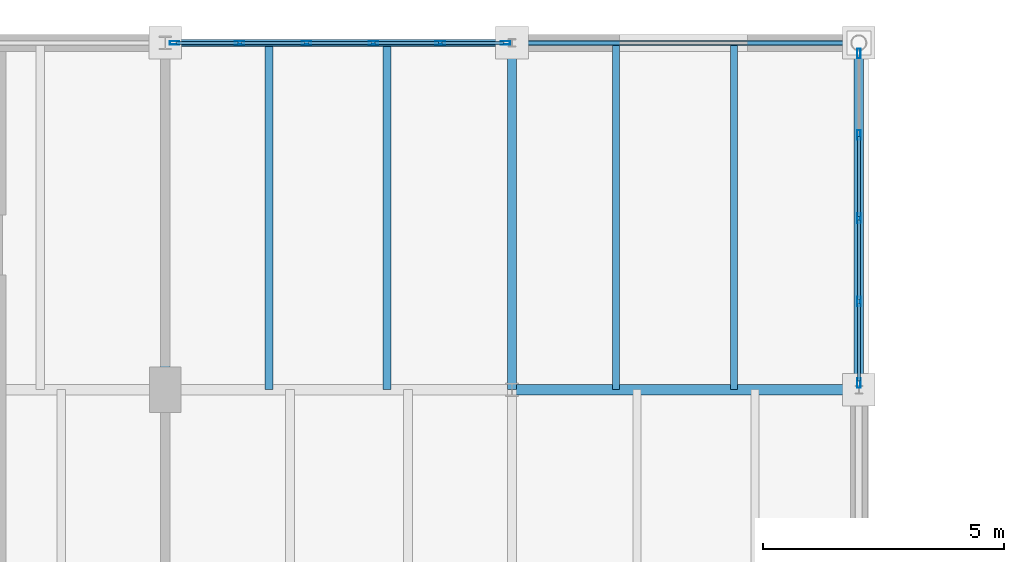
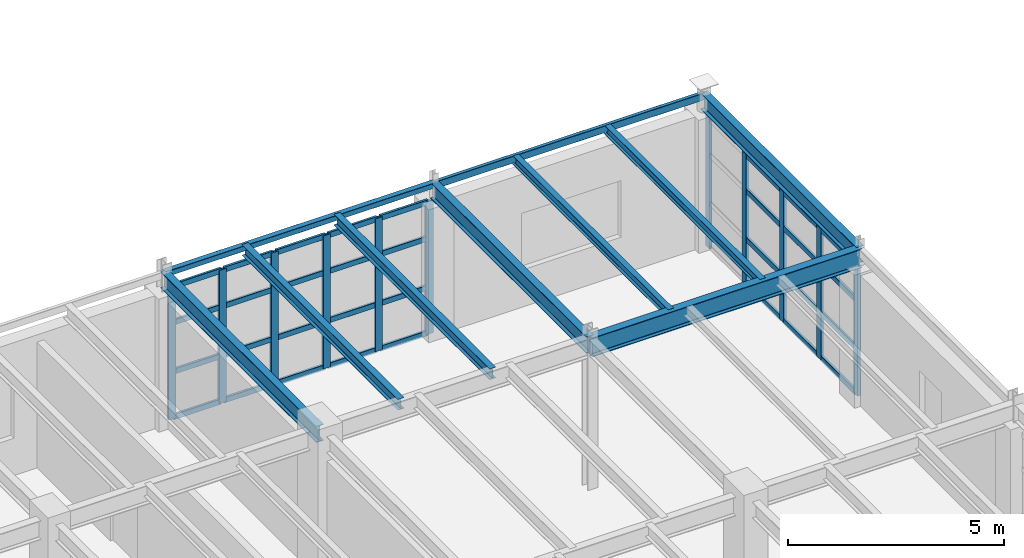
# One storey, part 106 of 137: 43 members, 10 beams, 2 elements without a shape of their own.
"""IFC4 building model written with IfcOpenShell, lengths in metres."""

from ifc_helpers import new_model, si_unit, direction, frame, origin, origin_2d, place, context, subcontext, project, spatial, hollow_rectangle, i_section, extrude, material, layer, layer_set, material_profile, profile_set, type_object, element, aggregate, save


model = new_model("IFC4")

# Units and contexts
model_context = context("Model", 3, precision=1e-05, world=origin(), true_north=direction((0.0, 1.0)))
body_context = subcontext(model_context, "Body", "Model", "MODEL_VIEW")
ifc_project = project(units=[si_unit("LENGTHUNIT", "METRE"), si_unit("AREAUNIT", "SQUARE_METRE"), si_unit("VOLUMEUNIT", "CUBIC_METRE"), si_unit("PLANEANGLEUNIT", "RADIAN"), si_unit("MASSUNIT", "GRAM", prefix="KILO")], contexts=[model_context])

# Site, building, storey
site_placement = place(None, origin())
site = spatial("IfcSite", under=ifc_project, at=site_placement, CompositionType="ELEMENT")
building_placement = place(site_placement, origin())
building = spatial("IfcBuilding", under=site, at=building_placement, Name="Kemerveld Promenade Tramway Depot", CompositionType="ELEMENT")
storey_placement = place(building_placement, frame((0.0, 0.0, 5.39990234375)))
storey = spatial("IfcBuildingStorey", under=building, at=storey_placement, Name="L01", CompositionType="ELEMENT", Elevation=5.39990234375)

# Beams
ifc_material_1 = material(Name="Steel S355", Category="steel")
ifc_material_profile_1 = material_profile(ifc_material_1, i_section(OverallWidth=0.2099609375, OverallDepth=0.53662109375, WebThickness=0.0107421875, FlangeThickness=0.017333984375, FilletRadius=0.0126953125, at=origin_2d()), Name="533x210x101 UB")
ifc_profile_set_1 = profile_set([ifc_material_profile_1], Name="Steel S355")
beam_type_1 = type_object("IfcBeamType", Name="BM-G05", PredefinedType="BEAM", material=ifc_profile_set_1)
beam_1_placement = place(storey_placement, frame((151.199951171875, 72.0, 3.9716796875), z_axis=(1.0, 0.0, 0.0), x_axis=(0.0, 1.0, 0.0)))
element("IfcBeam", 1, at=beam_1_placement, inside=storey, type_object=beam_type_1, Name="BMX-L01-22-23-L", PredefinedType="BEAM", context=body_context, shape_type="SweptSolid", body=[
    extrude(i_section(OverallWidth=0.2099609375, OverallDepth=0.53662109375, WebThickness=0.0107421875, FlangeThickness=0.017333984375, FilletRadius=0.0126953125, at=origin_2d()), origin(), (0.0, 0.0, 1.0), 7.199951171875),
])
ifc_material_profile_2 = material_profile(ifc_material_1, i_section(OverallWidth=0.19140625, OverallDepth=0.4599609375, WebThickness=0.010009765625, FlangeThickness=0.01611328125, FilletRadius=0.01025390625, at=origin_2d()), Name="457x191x82 UB")
ifc_profile_set_2 = profile_set([ifc_material_profile_2], Name="Steel S355")
beam_type_2 = type_object("IfcBeamType", Name="BM-G06", PredefinedType="BEAM", material=ifc_profile_set_2)
for number, where, z_axis, x_axis, name in (
    (2, (144.0, 72.0, 4.010009765625), (0.0, 1.0, 0.0), (-1.0, 0.0, 0.0), "BMY-L01-21-L-M"),
    (3, (151.199951171875, 72.0, 4.010009765625), (0.0, 1.0, 0.0), (-1.0, 0.0, 0.0), "BMY-L01-22-L-M"),
    (4, (158.39990234375, 72.0, 4.010009765625), (0.0, 1.0, 0.0), (-1.0, 0.0, 0.0), "BMY-L01-23-L-M"),
):
    element("IfcBeam", number, at=place(storey_placement, frame(where, z_axis=z_axis, x_axis=x_axis)), inside=storey, type_object=beam_type_2, Name=name, PredefinedType="BEAM", context=body_context, shape_type="SweptSolid", body=[
        extrude(i_section(OverallWidth=0.19140625, OverallDepth=0.4599609375, WebThickness=0.010009765625, FlangeThickness=0.01611328125, FilletRadius=0.01025390625, at=origin_2d()), origin(), (0.0, 0.0, 1.0), 7.199951171875),
    ])
ifc_material_profile_3 = material_profile(ifc_material_1, i_section(OverallWidth=0.165771484375, OverallDepth=0.306640625, WebThickness=0.006591796875, FlangeThickness=0.01171875, FilletRadius=0.0087890625, at=origin_2d()), Name="305x165x46 UB")
ifc_profile_set_3 = profile_set([ifc_material_profile_3], Name="Steel S355")
beam_type_3 = type_object("IfcBeamType", Name="BM-J01", PredefinedType="JOIST", material=ifc_profile_set_3)
for number, where, z_axis, x_axis, name in (
    (5, (146.159912109375, 72.0, 4.0869140625), (0.0, 1.0, 0.0), (-1.0, 0.0, 0.0), "JST-L01-21-L-1"),
    (6, (148.60791015625, 72.0, 4.0869140625), (0.0, 1.0, 0.0), (-1.0, 0.0, 0.0), "JST-L01-21-L-2"),
):
    element("IfcBeam", number, at=place(storey_placement, frame(where, z_axis=z_axis, x_axis=x_axis)), inside=storey, type_object=beam_type_3, Name=name, PredefinedType="JOIST", context=body_context, shape_type="SweptSolid", body=[
        extrude(i_section(OverallWidth=0.165771484375, OverallDepth=0.306640625, WebThickness=0.006591796875, FlangeThickness=0.01171875, FilletRadius=0.0087890625, at=origin_2d()), origin(), (0.0, 0.0, 1.0), 7.199951171875),
    ])
ifc_material_profile_4 = material_profile(ifc_material_1, i_section(OverallWidth=0.146484375, OverallDepth=0.256103515625, WebThickness=0.00634765625, FlangeThickness=0.010986328125, FilletRadius=0.007568359375, at=origin_2d()), Name="254x146x37 UB")
ifc_profile_set_4 = profile_set([ifc_material_profile_4], Name="Steel S355")
beam_type_4 = type_object("IfcBeamType", Name="BM-J02", PredefinedType="JOIST", material=ifc_profile_set_4)
for number, where, z_axis, x_axis, name in (
    (7, (153.360107421875, 72.0, 4.112060546875), (0.0, 1.0, 0.0), (-1.0, 0.0, 0.0), "JST-L01-22-L-1"),
    (8, (155.80810546875, 72.0, 4.112060546875), (0.0, 1.0, 0.0), (-1.0, 0.0, 0.0), "JST-L01-22-L-2"),
):
    element("IfcBeam", number, at=place(storey_placement, frame(where, z_axis=z_axis, x_axis=x_axis)), inside=storey, type_object=beam_type_4, Name=name, PredefinedType="JOIST", context=body_context, shape_type="SweptSolid", body=[
        extrude(i_section(OverallWidth=0.146484375, OverallDepth=0.256103515625, WebThickness=0.00634765625, FlangeThickness=0.010986328125, FilletRadius=0.007568359375, at=origin_2d()), origin(), (0.0, 0.0, 1.0), 7.199951171875),
    ])
ifc_material_profile_5 = material_profile(ifc_material_1, hollow_rectangle(XDim=0.10009765625, YDim=0.199951171875, WallThickness=0.008056640625, InnerFilletRadius=0.00390625, OuterFilletRadius=0.011962890625, at=origin_2d()), Name="200x100x8.0 RHS")
ifc_profile_set_5 = profile_set([ifc_material_profile_5], Name="Steel S355")
beam_type_5 = type_object("IfcBeamType", Name="BM-LN1", PredefinedType="LINTEL", material=ifc_profile_set_5)
beam_2_placement = place(storey_placement, frame((151.199951171875, 79.199951171875, 4.14013671875), z_axis=(1.0, 0.0, 0.0), x_axis=(0.0, 1.0, 0.0)))
element("IfcBeam", 9, at=beam_2_placement, inside=storey, type_object=beam_type_5, Name="BMX-L01-22-23-M", PredefinedType="LINTEL", context=body_context, shape_type="SweptSolid", body=[
    extrude(hollow_rectangle(XDim=0.10009765625, YDim=0.199951171875, WallThickness=0.008056640625, InnerFilletRadius=0.00390625, OuterFilletRadius=0.011962890625, at=origin_2d()), origin(), (0.0, 0.0, 1.0), 7.199951171875),
])
ifc_material_profile_6 = material_profile(ifc_material_1, hollow_rectangle(XDim=0.14990234375, YDim=0.14990234375, WallThickness=0.008056640625, InnerFilletRadius=0.00390625, OuterFilletRadius=0.011962890625, at=origin_2d()), Name="150x150x8.0 SHS")
ifc_profile_set_6 = profile_set([ifc_material_profile_6], Name="Steel S355")
beam_type_6 = type_object("IfcBeamType", Name="BM-SP4", PredefinedType="SPANDREL", material=ifc_profile_set_6)
beam_3_placement = place(storey_placement, frame((144.0, 79.199951171875, 4.1650390625), z_axis=(1.0, 0.0, 0.0), x_axis=(0.0, 1.0, 0.0)))
element("IfcBeam", 10, at=beam_3_placement, inside=storey, type_object=beam_type_6, Name="BMX-L01-21-22-M", PredefinedType="SPANDREL", context=body_context, shape_type="SweptSolid", body=[
    extrude(hollow_rectangle(XDim=0.14990234375, YDim=0.14990234375, WallThickness=0.008056640625, InnerFilletRadius=0.00390625, OuterFilletRadius=0.011962890625, at=origin_2d()), origin(), (0.0, 0.0, 1.0), 7.199951171875),
])

# Curtain wall, members
ifc_material_2 = material(Name="Bronze anodised aluminium and solar glass", Category="aluminium")
ifc_layer_1 = layer(ifc_material_2, 0.199951171875)
ifc_layer_set_1 = layer_set([ifc_layer_1], Name="CW-SYS-08")
curtain_wall_type_1 = type_object("IfcCurtainWallType", Name="CW-SYS-08", PredefinedType="USERDEFINED", material=ifc_layer_set_1)
curtain_wall_1_placement = place(storey_placement, origin())
curtain_wall_1 = element("IfcCurtainWall", 11, at=curtain_wall_1_placement, inside=storey, type_object=curtain_wall_type_1, Name="CW-L01-V3N-05", ObjectType="GLAZED_CURTAIN_WALL", PredefinedType="USERDEFINED")
ifc_material_3 = material(Name="Bronze anodised aluminium", Category="aluminium")
ifc_material_profile_7 = material_profile(ifc_material_3, hollow_rectangle(XDim=0.074951171875, YDim=0.199951171875, WallThickness=0.0048828125, InnerFilletRadius=0.001953125, OuterFilletRadius=0.0048828125, at=origin_2d()), Name="CW-MUL-200x75")
ifc_profile_set_7 = profile_set([ifc_material_profile_7], Name="Bronze anodised aluminium")
member_type_1 = type_object("IfcMemberType", Name="CW-MUL-B", PredefinedType="MULLION", material=ifc_profile_set_7)
member_1_placement = place(storey_placement, frame((144.19580078125, 79.199951171875, 0.0), z_axis=(0.0, 0.0, 1.0), x_axis=(0.0, 1.0, 0.0)))
member_1 = element("IfcMember", 12, at=member_1_placement, type_object=member_type_1, Name="CW08 mullion 1", PredefinedType="MULLION", context=body_context, shape_type="SweptSolid", body=[
    extrude(hollow_rectangle(XDim=0.074951171875, YDim=0.199951171875, WallThickness=0.0048828125, InnerFilletRadius=0.001953125, OuterFilletRadius=0.0048828125, at=origin_2d()), origin(), (0.0, 0.0, 1.0), 3.75),
])
member_2_placement = place(storey_placement, frame((145.54638671875, 79.199951171875, 0.0), z_axis=(0.0, 0.0, 1.0), x_axis=(0.0, 1.0, 0.0)))
member_2 = element("IfcMember", 13, at=member_2_placement, type_object=member_type_1, Name="CW08 mullion 2", PredefinedType="MULLION", context=body_context, shape_type="SweptSolid", body=[
    extrude(hollow_rectangle(XDim=0.074951171875, YDim=0.199951171875, WallThickness=0.0048828125, InnerFilletRadius=0.001953125, OuterFilletRadius=0.0048828125, at=origin_2d()), origin(), (0.0, 0.0, 1.0), 3.75),
])
member_3_placement = place(storey_placement, frame((146.9345703125, 79.199951171875, 0.0), z_axis=(0.0, 0.0, 1.0), x_axis=(0.0, 1.0, 0.0)))
member_3 = element("IfcMember", 14, at=member_3_placement, type_object=member_type_1, Name="CW08 mullion 3", PredefinedType="MULLION", context=body_context, shape_type="SweptSolid", body=[
    extrude(hollow_rectangle(XDim=0.074951171875, YDim=0.199951171875, WallThickness=0.0048828125, InnerFilletRadius=0.001953125, OuterFilletRadius=0.0048828125, at=origin_2d()), origin(), (0.0, 0.0, 1.0), 3.75),
])
member_4_placement = place(storey_placement, frame((148.32275390625, 79.199951171875, 0.0), z_axis=(0.0, 0.0, 1.0), x_axis=(0.0, 1.0, 0.0)))
member_4 = element("IfcMember", 15, at=member_4_placement, type_object=member_type_1, Name="CW08 mullion 4", PredefinedType="MULLION", context=body_context, shape_type="SweptSolid", body=[
    extrude(hollow_rectangle(XDim=0.074951171875, YDim=0.199951171875, WallThickness=0.0048828125, InnerFilletRadius=0.001953125, OuterFilletRadius=0.0048828125, at=origin_2d()), origin(), (0.0, 0.0, 1.0), 3.75),
])
member_5_placement = place(storey_placement, frame((149.7109375, 79.199951171875, 0.0), z_axis=(0.0, 0.0, 1.0), x_axis=(0.0, 1.0, 0.0)))
member_5 = element("IfcMember", 16, at=member_5_placement, type_object=member_type_1, Name="CW08 mullion 5", PredefinedType="MULLION", context=body_context, shape_type="SweptSolid", body=[
    extrude(hollow_rectangle(XDim=0.074951171875, YDim=0.199951171875, WallThickness=0.0048828125, InnerFilletRadius=0.001953125, OuterFilletRadius=0.0048828125, at=origin_2d()), origin(), (0.0, 0.0, 1.0), 3.75),
])
member_6_placement = place(storey_placement, frame((151.0615234375, 79.199951171875, 0.0), z_axis=(0.0, 0.0, 1.0), x_axis=(0.0, 1.0, 0.0)))
member_6 = element("IfcMember", 17, at=member_6_placement, type_object=member_type_1, Name="CW08 mullion 6", PredefinedType="MULLION", context=body_context, shape_type="SweptSolid", body=[
    extrude(hollow_rectangle(XDim=0.074951171875, YDim=0.199951171875, WallThickness=0.0048828125, InnerFilletRadius=0.001953125, OuterFilletRadius=0.0048828125, at=origin_2d()), origin(), (0.0, 0.0, 1.0), 3.75),
])

ifc_layer_2 = layer(ifc_material_2, 0.199951171875)
ifc_layer_set_2 = layer_set([ifc_layer_2], Name="CW-SYS-04")
curtain_wall_type_2 = type_object("IfcCurtainWallType", Name="CW-SYS-04", PredefinedType="USERDEFINED", material=ifc_layer_set_2)
curtain_wall_2_placement = place(storey_placement, origin())
curtain_wall_2 = element("IfcCurtainWall", 18, at=curtain_wall_2_placement, inside=storey, type_object=curtain_wall_type_2, Name="CW-L01-V3E-01", ObjectType="GLAZED_CURTAIN_WALL", PredefinedType="USERDEFINED")
member_7_placement = place(storey_placement, frame((158.39990234375, 78.980712890625, 0.0), z_axis=(0.0, 0.0, 1.0), x_axis=(1.0, 0.0, 0.0)))
member_7 = element("IfcMember", 19, at=member_7_placement, type_object=member_type_1, Name="CW04 mullion 1", PredefinedType="MULLION", context=body_context, shape_type="SweptSolid", body=[
    extrude(hollow_rectangle(XDim=0.074951171875, YDim=0.199951171875, WallThickness=0.0048828125, InnerFilletRadius=0.001953125, OuterFilletRadius=0.0048828125, at=origin_2d()), origin(), (0.0, 0.0, 1.0), 3.68359375),
])
member_8_placement = place(storey_placement, frame((158.39990234375, 77.288818359375, 0.0), z_axis=(0.0, 0.0, 1.0), x_axis=(1.0, 0.0, 0.0)))
member_8 = element("IfcMember", 20, at=member_8_placement, type_object=member_type_1, Name="CW04 mullion 2", PredefinedType="MULLION", context=body_context, shape_type="SweptSolid", body=[
    extrude(hollow_rectangle(XDim=0.074951171875, YDim=0.199951171875, WallThickness=0.0048828125, InnerFilletRadius=0.001953125, OuterFilletRadius=0.0048828125, at=origin_2d()), origin(), (0.0, 0.0, 1.0), 3.68359375),
])
member_9_placement = place(storey_placement, frame((158.39990234375, 75.5595703125, 0.0), z_axis=(0.0, 0.0, 1.0), x_axis=(1.0, 0.0, 0.0)))
member_9 = element("IfcMember", 21, at=member_9_placement, type_object=member_type_1, Name="CW04 mullion 3", PredefinedType="MULLION", context=body_context, shape_type="SweptSolid", body=[
    extrude(hollow_rectangle(XDim=0.074951171875, YDim=0.199951171875, WallThickness=0.0048828125, InnerFilletRadius=0.001953125, OuterFilletRadius=0.0048828125, at=origin_2d()), origin(), (0.0, 0.0, 1.0), 3.68359375),
])
member_10_placement = place(storey_placement, frame((158.39990234375, 73.830078125, 0.0), z_axis=(0.0, 0.0, 1.0), x_axis=(1.0, 0.0, 0.0)))
member_10 = element("IfcMember", 22, at=member_10_placement, type_object=member_type_1, Name="CW04 mullion 4", PredefinedType="MULLION", context=body_context, shape_type="SweptSolid", body=[
    extrude(hollow_rectangle(XDim=0.074951171875, YDim=0.199951171875, WallThickness=0.0048828125, InnerFilletRadius=0.001953125, OuterFilletRadius=0.0048828125, at=origin_2d()), origin(), (0.0, 0.0, 1.0), 3.68359375),
])
member_11_placement = place(storey_placement, frame((158.39990234375, 72.138427734375, 0.0), z_axis=(0.0, 0.0, 1.0), x_axis=(1.0, 0.0, 0.0)))
member_11 = element("IfcMember", 23, at=member_11_placement, type_object=member_type_1, Name="CW04 mullion 5", PredefinedType="MULLION", context=body_context, shape_type="SweptSolid", body=[
    extrude(hollow_rectangle(XDim=0.074951171875, YDim=0.199951171875, WallThickness=0.0048828125, InnerFilletRadius=0.001953125, OuterFilletRadius=0.0048828125, at=origin_2d()), origin(), (0.0, 0.0, 1.0), 3.68359375),
])

# Member
ifc_material_profile_8 = material_profile(ifc_material_3, hollow_rectangle(XDim=0.06494140625, YDim=0.14990234375, WallThickness=0.00439453125, InnerFilletRadius=0.001953125, OuterFilletRadius=0.00439453125, at=origin_2d()), Name="CW-TRN-150x65")
ifc_profile_set_8 = profile_set([ifc_material_profile_8], Name="Bronze anodised aluminium")
member_type_2 = type_object("IfcMemberType", Name="CW-TRN-B", PredefinedType="USERDEFINED", material=ifc_profile_set_8)
member_12_placement = place(storey_placement, frame((144.233154296875, 79.199951171875, 0.03271484375), z_axis=(1.0, 0.0, 0.0), x_axis=(0.0, 1.0, 0.0)))
member_12 = element("IfcMember", 24, at=member_12_placement, type_object=member_type_2, Name="CW08 transom 1.1", ObjectType="TRANSOM", PredefinedType="USERDEFINED", context=body_context, shape_type="SweptSolid", body=[
    extrude(hollow_rectangle(XDim=0.06494140625, YDim=0.14990234375, WallThickness=0.00439453125, InnerFilletRadius=0.001953125, OuterFilletRadius=0.00439453125, at=origin_2d()), origin(), (0.0, 0.0, 1.0), 1.275634765625),
])

member_13_placement = place(storey_placement, frame((144.233154296875, 79.199951171875, 1.31298828125), z_axis=(1.0, 0.0, 0.0), x_axis=(0.0, 1.0, 0.0)))
member_13 = element("IfcMember", 25, at=member_13_placement, type_object=member_type_2, Name="CW08 transom 1.2", ObjectType="TRANSOM", PredefinedType="USERDEFINED", context=body_context, shape_type="SweptSolid", body=[
    extrude(hollow_rectangle(XDim=0.06494140625, YDim=0.14990234375, WallThickness=0.00439453125, InnerFilletRadius=0.001953125, OuterFilletRadius=0.00439453125, at=origin_2d()), origin(), (0.0, 0.0, 1.0), 1.275634765625),
])

member_14_placement = place(storey_placement, frame((144.233154296875, 79.199951171875, 2.7001953125), z_axis=(1.0, 0.0, 0.0), x_axis=(0.0, 1.0, 0.0)))
member_14 = element("IfcMember", 26, at=member_14_placement, type_object=member_type_2, Name="CW08 transom 1.3", ObjectType="TRANSOM", PredefinedType="USERDEFINED", context=body_context, shape_type="SweptSolid", body=[
    extrude(hollow_rectangle(XDim=0.06494140625, YDim=0.14990234375, WallThickness=0.00439453125, InnerFilletRadius=0.001953125, OuterFilletRadius=0.00439453125, at=origin_2d()), origin(), (0.0, 0.0, 1.0), 1.275634765625),
])

member_15_placement = place(storey_placement, frame((144.233154296875, 79.199951171875, 3.717529296875), z_axis=(1.0, 0.0, 0.0), x_axis=(0.0, 1.0, 0.0)))
member_15 = element("IfcMember", 27, at=member_15_placement, type_object=member_type_2, Name="CW08 transom 1.4", ObjectType="TRANSOM", PredefinedType="USERDEFINED", context=body_context, shape_type="SweptSolid", body=[
    extrude(hollow_rectangle(XDim=0.06494140625, YDim=0.14990234375, WallThickness=0.00439453125, InnerFilletRadius=0.001953125, OuterFilletRadius=0.00439453125, at=origin_2d()), origin(), (0.0, 0.0, 1.0), 1.275634765625),
])

member_16_placement = place(storey_placement, frame((145.583984375, 79.199951171875, 0.03271484375), z_axis=(1.0, 0.0, 0.0), x_axis=(0.0, 1.0, 0.0)))
member_16 = element("IfcMember", 28, at=member_16_placement, type_object=member_type_2, Name="CW08 transom 2.1", ObjectType="TRANSOM", PredefinedType="USERDEFINED", context=body_context, shape_type="SweptSolid", body=[
    extrude(hollow_rectangle(XDim=0.06494140625, YDim=0.14990234375, WallThickness=0.00439453125, InnerFilletRadius=0.001953125, OuterFilletRadius=0.00439453125, at=origin_2d()), origin(), (0.0, 0.0, 1.0), 1.31298828125),
])

member_17_placement = place(storey_placement, frame((145.583984375, 79.199951171875, 1.31298828125), z_axis=(1.0, 0.0, 0.0), x_axis=(0.0, 1.0, 0.0)))
member_17 = element("IfcMember", 29, at=member_17_placement, type_object=member_type_2, Name="CW08 transom 2.2", ObjectType="TRANSOM", PredefinedType="USERDEFINED", context=body_context, shape_type="SweptSolid", body=[
    extrude(hollow_rectangle(XDim=0.06494140625, YDim=0.14990234375, WallThickness=0.00439453125, InnerFilletRadius=0.001953125, OuterFilletRadius=0.00439453125, at=origin_2d()), origin(), (0.0, 0.0, 1.0), 1.31298828125),
])

member_18_placement = place(storey_placement, frame((145.583984375, 79.199951171875, 2.7001953125), z_axis=(1.0, 0.0, 0.0), x_axis=(0.0, 1.0, 0.0)))
member_18 = element("IfcMember", 30, at=member_18_placement, type_object=member_type_2, Name="CW08 transom 2.3", ObjectType="TRANSOM", PredefinedType="USERDEFINED", context=body_context, shape_type="SweptSolid", body=[
    extrude(hollow_rectangle(XDim=0.06494140625, YDim=0.14990234375, WallThickness=0.00439453125, InnerFilletRadius=0.001953125, OuterFilletRadius=0.00439453125, at=origin_2d()), origin(), (0.0, 0.0, 1.0), 1.31298828125),
])

member_19_placement = place(storey_placement, frame((145.583984375, 79.199951171875, 3.717529296875), z_axis=(1.0, 0.0, 0.0), x_axis=(0.0, 1.0, 0.0)))
member_19 = element("IfcMember", 31, at=member_19_placement, type_object=member_type_2, Name="CW08 transom 2.4", ObjectType="TRANSOM", PredefinedType="USERDEFINED", context=body_context, shape_type="SweptSolid", body=[
    extrude(hollow_rectangle(XDim=0.06494140625, YDim=0.14990234375, WallThickness=0.00439453125, InnerFilletRadius=0.001953125, OuterFilletRadius=0.00439453125, at=origin_2d()), origin(), (0.0, 0.0, 1.0), 1.31298828125),
])

member_20_placement = place(storey_placement, frame((146.97216796875, 79.199951171875, 0.03271484375), z_axis=(1.0, 0.0, 0.0), x_axis=(0.0, 1.0, 0.0)))
member_20 = element("IfcMember", 32, at=member_20_placement, type_object=member_type_2, Name="CW08 transom 3.1", ObjectType="TRANSOM", PredefinedType="USERDEFINED", context=body_context, shape_type="SweptSolid", body=[
    extrude(hollow_rectangle(XDim=0.06494140625, YDim=0.14990234375, WallThickness=0.00439453125, InnerFilletRadius=0.001953125, OuterFilletRadius=0.00439453125, at=origin_2d()), origin(), (0.0, 0.0, 1.0), 1.31298828125),
])

member_21_placement = place(storey_placement, frame((146.97216796875, 79.199951171875, 1.31298828125), z_axis=(1.0, 0.0, 0.0), x_axis=(0.0, 1.0, 0.0)))
member_21 = element("IfcMember", 33, at=member_21_placement, type_object=member_type_2, Name="CW08 transom 3.2", ObjectType="TRANSOM", PredefinedType="USERDEFINED", context=body_context, shape_type="SweptSolid", body=[
    extrude(hollow_rectangle(XDim=0.06494140625, YDim=0.14990234375, WallThickness=0.00439453125, InnerFilletRadius=0.001953125, OuterFilletRadius=0.00439453125, at=origin_2d()), origin(), (0.0, 0.0, 1.0), 1.31298828125),
])

member_22_placement = place(storey_placement, frame((146.97216796875, 79.199951171875, 2.7001953125), z_axis=(1.0, 0.0, 0.0), x_axis=(0.0, 1.0, 0.0)))
member_22 = element("IfcMember", 34, at=member_22_placement, type_object=member_type_2, Name="CW08 transom 3.3", ObjectType="TRANSOM", PredefinedType="USERDEFINED", context=body_context, shape_type="SweptSolid", body=[
    extrude(hollow_rectangle(XDim=0.06494140625, YDim=0.14990234375, WallThickness=0.00439453125, InnerFilletRadius=0.001953125, OuterFilletRadius=0.00439453125, at=origin_2d()), origin(), (0.0, 0.0, 1.0), 1.31298828125),
])

member_23_placement = place(storey_placement, frame((146.97216796875, 79.199951171875, 3.717529296875), z_axis=(1.0, 0.0, 0.0), x_axis=(0.0, 1.0, 0.0)))
member_23 = element("IfcMember", 35, at=member_23_placement, type_object=member_type_2, Name="CW08 transom 3.4", ObjectType="TRANSOM", PredefinedType="USERDEFINED", context=body_context, shape_type="SweptSolid", body=[
    extrude(hollow_rectangle(XDim=0.06494140625, YDim=0.14990234375, WallThickness=0.00439453125, InnerFilletRadius=0.001953125, OuterFilletRadius=0.00439453125, at=origin_2d()), origin(), (0.0, 0.0, 1.0), 1.31298828125),
])

member_24_placement = place(storey_placement, frame((148.3603515625, 79.199951171875, 0.03271484375), z_axis=(1.0, 0.0, 0.0), x_axis=(0.0, 1.0, 0.0)))
member_24 = element("IfcMember", 36, at=member_24_placement, type_object=member_type_2, Name="CW08 transom 4.1", ObjectType="TRANSOM", PredefinedType="USERDEFINED", context=body_context, shape_type="SweptSolid", body=[
    extrude(hollow_rectangle(XDim=0.06494140625, YDim=0.14990234375, WallThickness=0.00439453125, InnerFilletRadius=0.001953125, OuterFilletRadius=0.00439453125, at=origin_2d()), origin(), (0.0, 0.0, 1.0), 1.31298828125),
])

member_25_placement = place(storey_placement, frame((148.3603515625, 79.199951171875, 1.31298828125), z_axis=(1.0, 0.0, 0.0), x_axis=(0.0, 1.0, 0.0)))
member_25 = element("IfcMember", 37, at=member_25_placement, type_object=member_type_2, Name="CW08 transom 4.2", ObjectType="TRANSOM", PredefinedType="USERDEFINED", context=body_context, shape_type="SweptSolid", body=[
    extrude(hollow_rectangle(XDim=0.06494140625, YDim=0.14990234375, WallThickness=0.00439453125, InnerFilletRadius=0.001953125, OuterFilletRadius=0.00439453125, at=origin_2d()), origin(), (0.0, 0.0, 1.0), 1.31298828125),
])

member_26_placement = place(storey_placement, frame((148.3603515625, 79.199951171875, 2.7001953125), z_axis=(1.0, 0.0, 0.0), x_axis=(0.0, 1.0, 0.0)))
member_26 = element("IfcMember", 38, at=member_26_placement, type_object=member_type_2, Name="CW08 transom 4.3", ObjectType="TRANSOM", PredefinedType="USERDEFINED", context=body_context, shape_type="SweptSolid", body=[
    extrude(hollow_rectangle(XDim=0.06494140625, YDim=0.14990234375, WallThickness=0.00439453125, InnerFilletRadius=0.001953125, OuterFilletRadius=0.00439453125, at=origin_2d()), origin(), (0.0, 0.0, 1.0), 1.31298828125),
])

member_27_placement = place(storey_placement, frame((148.3603515625, 79.199951171875, 3.717529296875), z_axis=(1.0, 0.0, 0.0), x_axis=(0.0, 1.0, 0.0)))
member_27 = element("IfcMember", 39, at=member_27_placement, type_object=member_type_2, Name="CW08 transom 4.4", ObjectType="TRANSOM", PredefinedType="USERDEFINED", context=body_context, shape_type="SweptSolid", body=[
    extrude(hollow_rectangle(XDim=0.06494140625, YDim=0.14990234375, WallThickness=0.00439453125, InnerFilletRadius=0.001953125, OuterFilletRadius=0.00439453125, at=origin_2d()), origin(), (0.0, 0.0, 1.0), 1.31298828125),
])

member_28_placement = place(storey_placement, frame((149.74853515625, 79.199951171875, 0.03271484375), z_axis=(1.0, 0.0, 0.0), x_axis=(0.0, 1.0, 0.0)))
member_28 = element("IfcMember", 40, at=member_28_placement, type_object=member_type_2, Name="CW08 transom 5.1", ObjectType="TRANSOM", PredefinedType="USERDEFINED", context=body_context, shape_type="SweptSolid", body=[
    extrude(hollow_rectangle(XDim=0.06494140625, YDim=0.14990234375, WallThickness=0.00439453125, InnerFilletRadius=0.001953125, OuterFilletRadius=0.00439453125, at=origin_2d()), origin(), (0.0, 0.0, 1.0), 1.275634765625),
])

member_29_placement = place(storey_placement, frame((149.74853515625, 79.199951171875, 1.31298828125), z_axis=(1.0, 0.0, 0.0), x_axis=(0.0, 1.0, 0.0)))
member_29 = element("IfcMember", 41, at=member_29_placement, type_object=member_type_2, Name="CW08 transom 5.2", ObjectType="TRANSOM", PredefinedType="USERDEFINED", context=body_context, shape_type="SweptSolid", body=[
    extrude(hollow_rectangle(XDim=0.06494140625, YDim=0.14990234375, WallThickness=0.00439453125, InnerFilletRadius=0.001953125, OuterFilletRadius=0.00439453125, at=origin_2d()), origin(), (0.0, 0.0, 1.0), 1.275634765625),
])

member_30_placement = place(storey_placement, frame((149.74853515625, 79.199951171875, 2.7001953125), z_axis=(1.0, 0.0, 0.0), x_axis=(0.0, 1.0, 0.0)))
member_30 = element("IfcMember", 42, at=member_30_placement, type_object=member_type_2, Name="CW08 transom 5.3", ObjectType="TRANSOM", PredefinedType="USERDEFINED", context=body_context, shape_type="SweptSolid", body=[
    extrude(hollow_rectangle(XDim=0.06494140625, YDim=0.14990234375, WallThickness=0.00439453125, InnerFilletRadius=0.001953125, OuterFilletRadius=0.00439453125, at=origin_2d()), origin(), (0.0, 0.0, 1.0), 1.275634765625),
])

member_31_placement = place(storey_placement, frame((149.74853515625, 79.199951171875, 3.717529296875), z_axis=(1.0, 0.0, 0.0), x_axis=(0.0, 1.0, 0.0)))
member_31 = element("IfcMember", 43, at=member_31_placement, type_object=member_type_2, Name="CW08 transom 5.4", ObjectType="TRANSOM", PredefinedType="USERDEFINED", context=body_context, shape_type="SweptSolid", body=[
    extrude(hollow_rectangle(XDim=0.06494140625, YDim=0.14990234375, WallThickness=0.00439453125, InnerFilletRadius=0.001953125, OuterFilletRadius=0.00439453125, at=origin_2d()), origin(), (0.0, 0.0, 1.0), 1.275634765625),
])

aggregate(curtain_wall_1, [member_1, member_2, member_3, member_4, member_5, member_6, member_12, member_13, member_14, member_15, member_16, member_17, member_18, member_19, member_20, member_21, member_22, member_23, member_24, member_25, member_26, member_27, member_28, member_29, member_30, member_31])

member_32_placement = place(storey_placement, frame((158.39990234375, 77.251220703125, 0.03271484375), z_axis=(0.0, -1.0, 0.0), x_axis=(1.0, 0.0, 0.0)))
member_32 = element("IfcMember", 44, at=member_32_placement, type_object=member_type_2, Name="CW04 transom 2.1", ObjectType="TRANSOM", PredefinedType="USERDEFINED", context=body_context, shape_type="SweptSolid", body=[
    extrude(hollow_rectangle(XDim=0.06494140625, YDim=0.14990234375, WallThickness=0.00439453125, InnerFilletRadius=0.001953125, OuterFilletRadius=0.00439453125, at=origin_2d()), origin(), (0.0, 0.0, 1.0), 1.654296875),
])

member_33_placement = place(storey_placement, frame((158.39990234375, 77.251220703125, 1.2890625), z_axis=(0.0, -1.0, 0.0), x_axis=(1.0, 0.0, 0.0)))
member_33 = element("IfcMember", 45, at=member_33_placement, type_object=member_type_2, Name="CW04 transom 2.2", ObjectType="TRANSOM", PredefinedType="USERDEFINED", context=body_context, shape_type="SweptSolid", body=[
    extrude(hollow_rectangle(XDim=0.06494140625, YDim=0.14990234375, WallThickness=0.00439453125, InnerFilletRadius=0.001953125, OuterFilletRadius=0.00439453125, at=origin_2d()), origin(), (0.0, 0.0, 1.0), 1.654296875),
])

member_34_placement = place(storey_placement, frame((158.39990234375, 77.251220703125, 2.652099609375), z_axis=(0.0, -1.0, 0.0), x_axis=(1.0, 0.0, 0.0)))
member_34 = element("IfcMember", 46, at=member_34_placement, type_object=member_type_2, Name="CW04 transom 2.3", ObjectType="TRANSOM", PredefinedType="USERDEFINED", context=body_context, shape_type="SweptSolid", body=[
    extrude(hollow_rectangle(XDim=0.06494140625, YDim=0.14990234375, WallThickness=0.00439453125, InnerFilletRadius=0.001953125, OuterFilletRadius=0.00439453125, at=origin_2d()), origin(), (0.0, 0.0, 1.0), 1.654296875),
])

member_35_placement = place(storey_placement, frame((158.39990234375, 77.251220703125, 3.65087890625), z_axis=(0.0, -1.0, 0.0), x_axis=(1.0, 0.0, 0.0)))
member_35 = element("IfcMember", 47, at=member_35_placement, type_object=member_type_2, Name="CW04 transom 2.4", ObjectType="TRANSOM", PredefinedType="USERDEFINED", context=body_context, shape_type="SweptSolid", body=[
    extrude(hollow_rectangle(XDim=0.06494140625, YDim=0.14990234375, WallThickness=0.00439453125, InnerFilletRadius=0.001953125, OuterFilletRadius=0.00439453125, at=origin_2d()), origin(), (0.0, 0.0, 1.0), 1.654296875),
])

member_36_placement = place(storey_placement, frame((158.39990234375, 75.52197265625, 0.03271484375), z_axis=(0.0, -1.0, 0.0), x_axis=(1.0, 0.0, 0.0)))
member_36 = element("IfcMember", 48, at=member_36_placement, type_object=member_type_2, Name="CW04 transom 3.1", ObjectType="TRANSOM", PredefinedType="USERDEFINED", context=body_context, shape_type="SweptSolid", body=[
    extrude(hollow_rectangle(XDim=0.06494140625, YDim=0.14990234375, WallThickness=0.00439453125, InnerFilletRadius=0.001953125, OuterFilletRadius=0.00439453125, at=origin_2d()), origin(), (0.0, 0.0, 1.0), 1.654296875),
])

member_37_placement = place(storey_placement, frame((158.39990234375, 75.52197265625, 1.2890625), z_axis=(0.0, -1.0, 0.0), x_axis=(1.0, 0.0, 0.0)))
member_37 = element("IfcMember", 49, at=member_37_placement, type_object=member_type_2, Name="CW04 transom 3.2", ObjectType="TRANSOM", PredefinedType="USERDEFINED", context=body_context, shape_type="SweptSolid", body=[
    extrude(hollow_rectangle(XDim=0.06494140625, YDim=0.14990234375, WallThickness=0.00439453125, InnerFilletRadius=0.001953125, OuterFilletRadius=0.00439453125, at=origin_2d()), origin(), (0.0, 0.0, 1.0), 1.654296875),
])

member_38_placement = place(storey_placement, frame((158.39990234375, 75.52197265625, 2.652099609375), z_axis=(0.0, -1.0, 0.0), x_axis=(1.0, 0.0, 0.0)))
member_38 = element("IfcMember", 50, at=member_38_placement, type_object=member_type_2, Name="CW04 transom 3.3", ObjectType="TRANSOM", PredefinedType="USERDEFINED", context=body_context, shape_type="SweptSolid", body=[
    extrude(hollow_rectangle(XDim=0.06494140625, YDim=0.14990234375, WallThickness=0.00439453125, InnerFilletRadius=0.001953125, OuterFilletRadius=0.00439453125, at=origin_2d()), origin(), (0.0, 0.0, 1.0), 1.654296875),
])

member_39_placement = place(storey_placement, frame((158.39990234375, 75.52197265625, 3.65087890625), z_axis=(0.0, -1.0, 0.0), x_axis=(1.0, 0.0, 0.0)))
member_39 = element("IfcMember", 51, at=member_39_placement, type_object=member_type_2, Name="CW04 transom 3.4", ObjectType="TRANSOM", PredefinedType="USERDEFINED", context=body_context, shape_type="SweptSolid", body=[
    extrude(hollow_rectangle(XDim=0.06494140625, YDim=0.14990234375, WallThickness=0.00439453125, InnerFilletRadius=0.001953125, OuterFilletRadius=0.00439453125, at=origin_2d()), origin(), (0.0, 0.0, 1.0), 1.654296875),
])

member_40_placement = place(storey_placement, frame((158.39990234375, 73.792724609375, 0.03271484375), z_axis=(0.0, -1.0, 0.0), x_axis=(1.0, 0.0, 0.0)))
member_40 = element("IfcMember", 52, at=member_40_placement, type_object=member_type_2, Name="CW04 transom 4.1", ObjectType="TRANSOM", PredefinedType="USERDEFINED", context=body_context, shape_type="SweptSolid", body=[
    extrude(hollow_rectangle(XDim=0.06494140625, YDim=0.14990234375, WallThickness=0.00439453125, InnerFilletRadius=0.001953125, OuterFilletRadius=0.00439453125, at=origin_2d()), origin(), (0.0, 0.0, 1.0), 1.616943359375),
])

member_41_placement = place(storey_placement, frame((158.39990234375, 73.792724609375, 1.2890625), z_axis=(0.0, -1.0, 0.0), x_axis=(1.0, 0.0, 0.0)))
member_41 = element("IfcMember", 53, at=member_41_placement, type_object=member_type_2, Name="CW04 transom 4.2", ObjectType="TRANSOM", PredefinedType="USERDEFINED", context=body_context, shape_type="SweptSolid", body=[
    extrude(hollow_rectangle(XDim=0.06494140625, YDim=0.14990234375, WallThickness=0.00439453125, InnerFilletRadius=0.001953125, OuterFilletRadius=0.00439453125, at=origin_2d()), origin(), (0.0, 0.0, 1.0), 1.616943359375),
])

member_42_placement = place(storey_placement, frame((158.39990234375, 73.792724609375, 2.652099609375), z_axis=(0.0, -1.0, 0.0), x_axis=(1.0, 0.0, 0.0)))
member_42 = element("IfcMember", 54, at=member_42_placement, type_object=member_type_2, Name="CW04 transom 4.3", ObjectType="TRANSOM", PredefinedType="USERDEFINED", context=body_context, shape_type="SweptSolid", body=[
    extrude(hollow_rectangle(XDim=0.06494140625, YDim=0.14990234375, WallThickness=0.00439453125, InnerFilletRadius=0.001953125, OuterFilletRadius=0.00439453125, at=origin_2d()), origin(), (0.0, 0.0, 1.0), 1.616943359375),
])

member_43_placement = place(storey_placement, frame((158.39990234375, 73.792724609375, 3.65087890625), z_axis=(0.0, -1.0, 0.0), x_axis=(1.0, 0.0, 0.0)))
member_43 = element("IfcMember", 55, at=member_43_placement, type_object=member_type_2, Name="CW04 transom 4.4", ObjectType="TRANSOM", PredefinedType="USERDEFINED", context=body_context, shape_type="SweptSolid", body=[
    extrude(hollow_rectangle(XDim=0.06494140625, YDim=0.14990234375, WallThickness=0.00439453125, InnerFilletRadius=0.001953125, OuterFilletRadius=0.00439453125, at=origin_2d()), origin(), (0.0, 0.0, 1.0), 1.616943359375),
])

aggregate(curtain_wall_2, [member_7, member_8, member_9, member_10, member_11, member_32, member_33, member_34, member_35, member_36, member_37, member_38, member_39, member_40, member_41, member_42, member_43])

save(model, "model.ifc")
